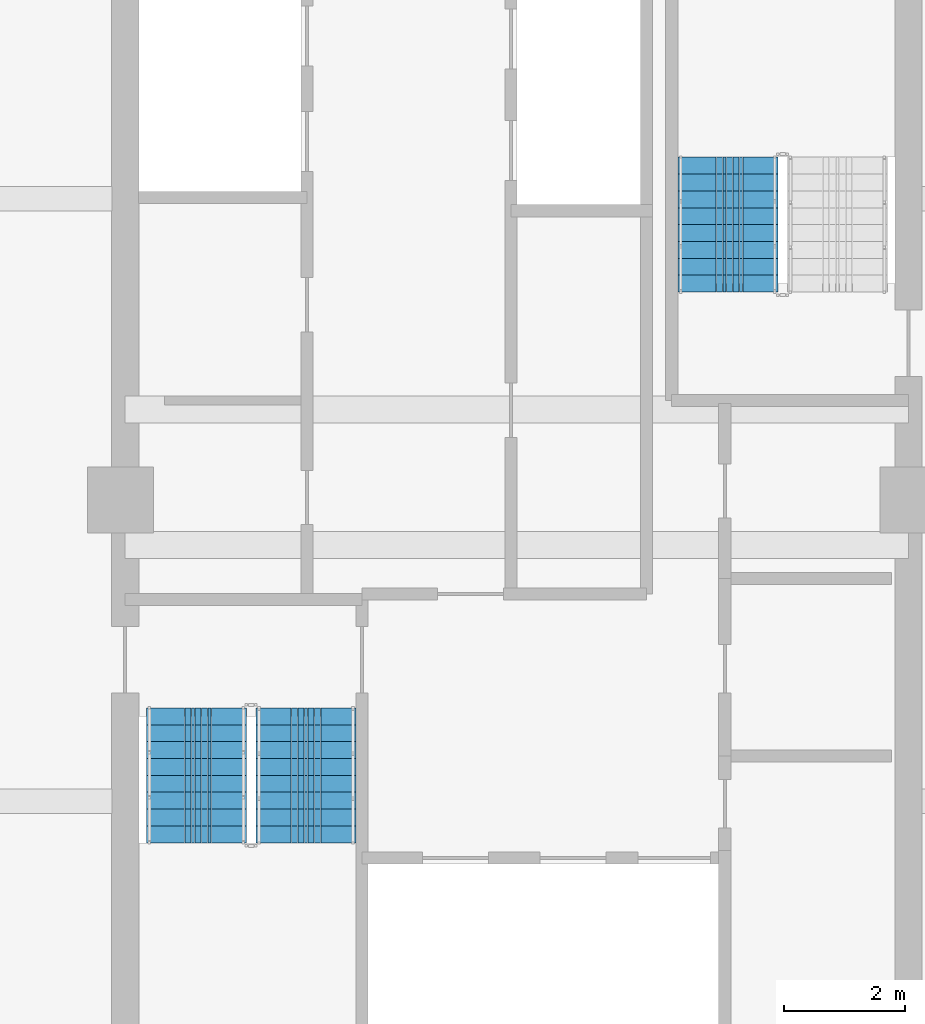
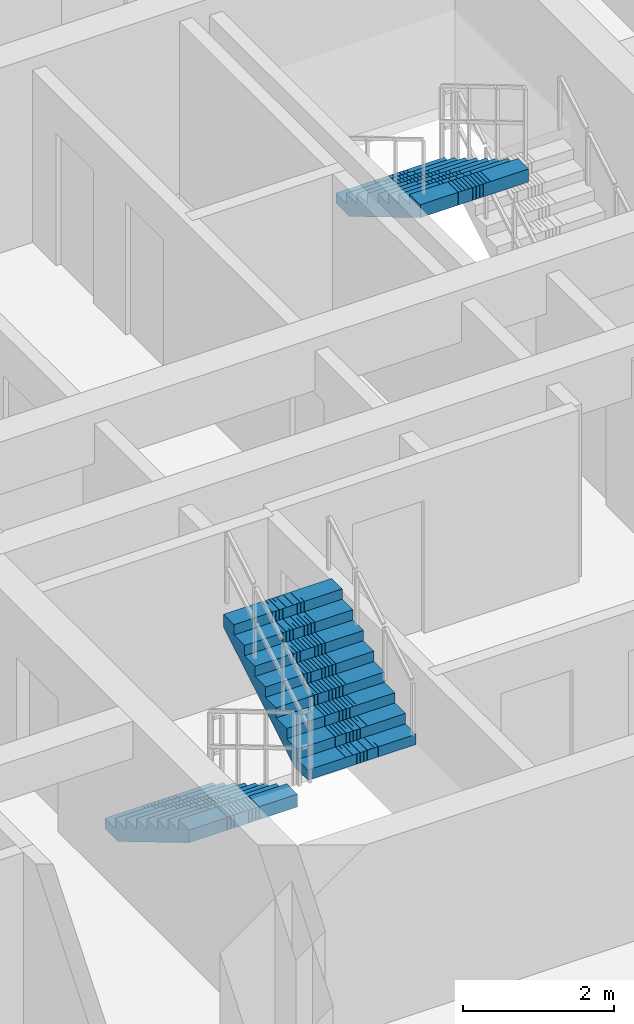
# One storey, part 16 of 22: 3 stair flights, 2 elements without a shape of their own.
"""IFC4 building model written with IfcOpenShell, lengths in metres."""

from ifc_helpers import new_model, si_unit, direction, frame, origin, place, context, subcontext, project, spatial, polyline, outline, extrude, material, type_object, element, aggregate, save


model = new_model("IFC4")

# Units and contexts
model_context = context("Model", 3, precision=1e-05, world=origin(), true_north=direction((0.0, 1.0)))
body_context = subcontext(model_context, "Body", "Model", "MODEL_VIEW")
ifc_project = project(units=[si_unit("LENGTHUNIT", "METRE"), si_unit("AREAUNIT", "SQUARE_METRE"), si_unit("VOLUMEUNIT", "CUBIC_METRE"), si_unit("PLANEANGLEUNIT", "RADIAN"), si_unit("MASSUNIT", "GRAM", prefix="KILO")], contexts=[model_context])

# Site, building, storey
site_placement = place(None, origin())
site = spatial("IfcSite", under=ifc_project, at=site_placement, CompositionType="ELEMENT")
building_placement = place(site_placement, origin())
building = spatial("IfcBuilding", under=site, at=building_placement, Name="Saelheon Loggia Tower", CompositionType="ELEMENT")
storey_placement = place(building_placement, frame((0.0, 0.0, 196.60009765625)))
storey = spatial("IfcBuildingStorey", under=building, at=storey_placement, Name="L61", CompositionType="ELEMENT", Elevation=196.60009765625)

# Stair, stair flights
ifc_material = material(Name="Concrete C40/50", Category="concrete")
stair_type = type_object("IfcStairType", Name="Stair_Escape_Core", PredefinedType="HALF_TURN_STAIR", material=ifc_material)
stair_1_placement = place(storey_placement, origin())
stair_1 = element("IfcStair", 1, at=stair_1_placement, inside=storey, type_object=stair_type, Name="L61 Special Escape Stair ST1", PredefinedType="HALF_TURN_STAIR")
stair_flight_type = type_object("IfcStairFlightType", Name="StairFlight_Tower_1660", PredefinedType="STRAIGHT", material=ifc_material)
stair_flight_1_placement = place(storey_placement, frame((32.679931640625, 23.550048828125, 0.0), z_axis=(0.0, 0.0, 1.0), x_axis=(0.0, -1.0, 0.0)))
stair_flight_1 = element("IfcStairFlight", 2, at=stair_flight_1_placement, type_object=stair_flight_type, Name="ST1 flight 1", NumberOfRisers=9, NumberOfTreads=8, PredefinedType="STRAIGHT", RiserHeight=0.166666667, TreadLength=0.28, context=body_context, shape_type="SweptSolid", body=[
    extrude(outline(polyline([(0.0, 0.0), (0.0, 0.166748046875), (0.280029296875, 0.166748046875), (0.280029296875, 0.333251953125), (0.56005859375, 0.333251953125), (0.56005859375, 0.5), (0.840087890625, 0.5), (0.840087890625, 0.666748046875), (1.1201171875, 0.666748046875), (1.1201171875, 0.833251953125), (1.39990234375, 0.833251953125), (1.39990234375, 1.0), (1.679931640625, 1.0), (1.679931640625, 1.166748046875), (1.9599609375, 1.166748046875), (1.9599609375, 1.333251953125), (2.239990234375, 1.333251953125), (2.239990234375, 1.5), (2.239990234375, 1.1240234375), (0.351806640625, 0.0), (0.0, 0.0)])), frame((0.0, -0.2490234375, 0.0), z_axis=(0.0, -1.0, 0.0), x_axis=(1.0, 0.0, 0.0)), (0.0, 0.0, 1.0), 0.5810546875),
    extrude(outline(polyline([(0.0, 0.0), (0.0, 0.166748046875), (0.280029296875, 0.166748046875), (0.280029296875, 0.333251953125), (0.56005859375, 0.333251953125), (0.56005859375, 0.5), (0.840087890625, 0.5), (0.840087890625, 0.666748046875), (1.1201171875, 0.666748046875), (1.1201171875, 0.833251953125), (1.39990234375, 0.833251953125), (1.39990234375, 1.0), (1.679931640625, 1.0), (1.679931640625, 1.166748046875), (1.9599609375, 1.166748046875), (1.9599609375, 1.333251953125), (2.239990234375, 1.333251953125), (2.239990234375, 1.5), (2.239990234375, 1.1240234375), (0.351806640625, 0.0), (0.0, 0.0)])), frame((0.0, -0.194091796875, 0.0), z_axis=(0.0, -1.0, 0.0), x_axis=(1.0, 0.0, 0.0)), (0.0, 0.0, 1.0), 0.0498046875),
    extrude(outline(polyline([(0.0, 0.0), (0.0, 0.166748046875), (0.280029296875, 0.166748046875), (0.280029296875, 0.333251953125), (0.56005859375, 0.333251953125), (0.56005859375, 0.5), (0.840087890625, 0.5), (0.840087890625, 0.666748046875), (1.1201171875, 0.666748046875), (1.1201171875, 0.833251953125), (1.39990234375, 0.833251953125), (1.39990234375, 1.0), (1.679931640625, 1.0), (1.679931640625, 1.166748046875), (1.9599609375, 1.166748046875), (1.9599609375, 1.333251953125), (2.239990234375, 1.333251953125), (2.239990234375, 1.5), (2.239990234375, 1.1240234375), (0.351806640625, 0.0), (0.0, 0.0)])), frame((0.0, -0.139404296875, 0.0), z_axis=(0.0, -1.0, 0.0), x_axis=(1.0, 0.0, 0.0)), (0.0, 0.0, 1.0), 0.0498046875),
    extrude(outline(polyline([(0.0, 0.0), (0.0, 0.166748046875), (0.280029296875, 0.166748046875), (0.280029296875, 0.333251953125), (0.56005859375, 0.333251953125), (0.56005859375, 0.5), (0.840087890625, 0.5), (0.840087890625, 0.666748046875), (1.1201171875, 0.666748046875), (1.1201171875, 0.833251953125), (1.39990234375, 0.833251953125), (1.39990234375, 1.0), (1.679931640625, 1.0), (1.679931640625, 1.166748046875), (1.9599609375, 1.166748046875), (1.9599609375, 1.333251953125), (2.239990234375, 1.333251953125), (2.239990234375, 1.5), (2.239990234375, 1.1240234375), (0.351806640625, 0.0), (0.0, 0.0)])), frame((0.0, -0.084716796875, 0.0), z_axis=(0.0, -1.0, 0.0), x_axis=(1.0, 0.0, 0.0)), (0.0, 0.0, 1.0), 0.0498046875),
    extrude(outline(polyline([(0.0, 0.0), (0.0, 0.166748046875), (0.280029296875, 0.166748046875), (0.280029296875, 0.333251953125), (0.56005859375, 0.333251953125), (0.56005859375, 0.5), (0.840087890625, 0.5), (0.840087890625, 0.666748046875), (1.1201171875, 0.666748046875), (1.1201171875, 0.833251953125), (1.39990234375, 0.833251953125), (1.39990234375, 1.0), (1.679931640625, 1.0), (1.679931640625, 1.166748046875), (1.9599609375, 1.166748046875), (1.9599609375, 1.333251953125), (2.239990234375, 1.333251953125), (2.239990234375, 1.5), (2.239990234375, 1.1240234375), (0.351806640625, 0.0), (0.0, 0.0)])), frame((0.0, -0.02978515625, 0.0), z_axis=(0.0, -1.0, 0.0), x_axis=(1.0, 0.0, 0.0)), (0.0, 0.0, 1.0), 0.0498046875),
    extrude(outline(polyline([(0.0, 0.0), (0.0, 0.166748046875), (0.280029296875, 0.166748046875), (0.280029296875, 0.333251953125), (0.56005859375, 0.333251953125), (0.56005859375, 0.5), (0.840087890625, 0.5), (0.840087890625, 0.666748046875), (1.1201171875, 0.666748046875), (1.1201171875, 0.833251953125), (1.39990234375, 0.833251953125), (1.39990234375, 1.0), (1.679931640625, 1.0), (1.679931640625, 1.166748046875), (1.9599609375, 1.166748046875), (1.9599609375, 1.333251953125), (2.239990234375, 1.333251953125), (2.239990234375, 1.5), (2.239990234375, 1.1240234375), (0.351806640625, 0.0), (0.0, 0.0)])), frame((0.0, 0.02490234375, 0.0), z_axis=(0.0, -1.0, 0.0), x_axis=(1.0, 0.0, 0.0)), (0.0, 0.0, 1.0), 0.0498046875),
    extrude(outline(polyline([(0.0, 0.0), (0.0, 0.166748046875), (0.280029296875, 0.166748046875), (0.280029296875, 0.333251953125), (0.56005859375, 0.333251953125), (0.56005859375, 0.5), (0.840087890625, 0.5), (0.840087890625, 0.666748046875), (1.1201171875, 0.666748046875), (1.1201171875, 0.833251953125), (1.39990234375, 0.833251953125), (1.39990234375, 1.0), (1.679931640625, 1.0), (1.679931640625, 1.166748046875), (1.9599609375, 1.166748046875), (1.9599609375, 1.333251953125), (2.239990234375, 1.333251953125), (2.239990234375, 1.5), (2.239990234375, 1.1240234375), (0.351806640625, 0.0), (0.0, 0.0)])), frame((0.0, 0.07958984375, 0.0), z_axis=(0.0, -1.0, 0.0), x_axis=(1.0, 0.0, 0.0)), (0.0, 0.0, 1.0), 0.0498046875),
    extrude(outline(polyline([(0.0, 0.0), (0.0, 0.166748046875), (0.280029296875, 0.166748046875), (0.280029296875, 0.333251953125), (0.56005859375, 0.333251953125), (0.56005859375, 0.5), (0.840087890625, 0.5), (0.840087890625, 0.666748046875), (1.1201171875, 0.666748046875), (1.1201171875, 0.833251953125), (1.39990234375, 0.833251953125), (1.39990234375, 1.0), (1.679931640625, 1.0), (1.679931640625, 1.166748046875), (1.9599609375, 1.166748046875), (1.9599609375, 1.333251953125), (2.239990234375, 1.333251953125), (2.239990234375, 1.5), (2.239990234375, 1.1240234375), (0.351806640625, 0.0), (0.0, 0.0)])), frame((0.0, 0.134521484375, 0.0), z_axis=(0.0, -1.0, 0.0), x_axis=(1.0, 0.0, 0.0)), (0.0, 0.0, 1.0), 0.0498046875),
    extrude(outline(polyline([(0.0, 0.0), (0.0, 0.166748046875), (0.280029296875, 0.166748046875), (0.280029296875, 0.333251953125), (0.56005859375, 0.333251953125), (0.56005859375, 0.5), (0.840087890625, 0.5), (0.840087890625, 0.666748046875), (1.1201171875, 0.666748046875), (1.1201171875, 0.833251953125), (1.39990234375, 0.833251953125), (1.39990234375, 1.0), (1.679931640625, 1.0), (1.679931640625, 1.166748046875), (1.9599609375, 1.166748046875), (1.9599609375, 1.333251953125), (2.239990234375, 1.333251953125), (2.239990234375, 1.5), (2.239990234375, 1.1240234375), (0.351806640625, 0.0), (0.0, 0.0)])), frame((0.0, 0.189208984375, 0.0), z_axis=(0.0, -1.0, 0.0), x_axis=(1.0, 0.0, 0.0)), (0.0, 0.0, 1.0), 0.0498046875),
    extrude(outline(polyline([(0.0, 0.0), (0.0, 0.166748046875), (0.280029296875, 0.166748046875), (0.280029296875, 0.333251953125), (0.56005859375, 0.333251953125), (0.56005859375, 0.5), (0.840087890625, 0.5), (0.840087890625, 0.666748046875), (1.1201171875, 0.666748046875), (1.1201171875, 0.833251953125), (1.39990234375, 0.833251953125), (1.39990234375, 1.0), (1.679931640625, 1.0), (1.679931640625, 1.166748046875), (1.9599609375, 1.166748046875), (1.9599609375, 1.333251953125), (2.239990234375, 1.333251953125), (2.239990234375, 1.5), (2.239990234375, 1.1240234375), (0.351806640625, 0.0), (0.0, 0.0)])), frame((0.0, 0.243896484375, 0.0), z_axis=(0.0, -1.0, 0.0), x_axis=(1.0, 0.0, 0.0)), (0.0, 0.0, 1.0), 0.0498046875),
    extrude(outline(polyline([(0.0, 0.0), (0.0, 0.166748046875), (0.280029296875, 0.166748046875), (0.280029296875, 0.333251953125), (0.56005859375, 0.333251953125), (0.56005859375, 0.5), (0.840087890625, 0.5), (0.840087890625, 0.666748046875), (1.1201171875, 0.666748046875), (1.1201171875, 0.833251953125), (1.39990234375, 0.833251953125), (1.39990234375, 1.0), (1.679931640625, 1.0), (1.679931640625, 1.166748046875), (1.9599609375, 1.166748046875), (1.9599609375, 1.333251953125), (2.239990234375, 1.333251953125), (2.239990234375, 1.5), (2.239990234375, 1.1240234375), (0.351806640625, 0.0), (0.0, 0.0)])), frame((0.0, 0.830078125, 0.0), z_axis=(0.0, -1.0, 0.0), x_axis=(1.0, 0.0, 0.0)), (0.0, 0.0, 1.0), 0.5810546875),
])
stair_flight_2_placement = place(storey_placement, frame((34.5, 21.31005859375, 1.5), z_axis=(0.0, 0.0, 1.0), x_axis=(0.0, 1.0, 0.0)))
stair_flight_2 = element("IfcStairFlight", 3, at=stair_flight_2_placement, type_object=stair_flight_type, Name="ST1 flight 2", NumberOfRisers=9, NumberOfTreads=8, PredefinedType="STRAIGHT", RiserHeight=0.166666667, TreadLength=0.28, context=body_context, shape_type="SweptSolid", body=[
    extrude(outline(polyline([(0.0, 0.0), (0.0, 0.166748046875), (0.280029296875, 0.166748046875), (0.280029296875, 0.333251953125), (0.56005859375, 0.333251953125), (0.56005859375, 0.5), (0.840087890625, 0.5), (0.840087890625, 0.666748046875), (1.1201171875, 0.666748046875), (1.1201171875, 0.833251953125), (1.39990234375, 0.833251953125), (1.39990234375, 1.0), (1.679931640625, 1.0), (1.679931640625, 1.166748046875), (1.9599609375, 1.166748046875), (1.9599609375, 1.333251953125), (2.239990234375, 1.333251953125), (2.239990234375, 1.5), (2.239990234375, 1.1240234375), (0.351806640625, 0.0), (0.0, 0.0)])), frame((0.0, -0.2490234375, 0.0), z_axis=(0.0, -1.0, 0.0), x_axis=(1.0, 0.0, 0.0)), (0.0, 0.0, 1.0), 0.5810546875),
    extrude(outline(polyline([(0.0, 0.0), (0.0, 0.166748046875), (0.280029296875, 0.166748046875), (0.280029296875, 0.333251953125), (0.56005859375, 0.333251953125), (0.56005859375, 0.5), (0.840087890625, 0.5), (0.840087890625, 0.666748046875), (1.1201171875, 0.666748046875), (1.1201171875, 0.833251953125), (1.39990234375, 0.833251953125), (1.39990234375, 1.0), (1.679931640625, 1.0), (1.679931640625, 1.166748046875), (1.9599609375, 1.166748046875), (1.9599609375, 1.333251953125), (2.239990234375, 1.333251953125), (2.239990234375, 1.5), (2.239990234375, 1.1240234375), (0.351806640625, 0.0), (0.0, 0.0)])), frame((0.0, -0.194091796875, 0.0), z_axis=(0.0, -1.0, 0.0), x_axis=(1.0, 0.0, 0.0)), (0.0, 0.0, 1.0), 0.0498046875),
    extrude(outline(polyline([(0.0, 0.0), (0.0, 0.166748046875), (0.280029296875, 0.166748046875), (0.280029296875, 0.333251953125), (0.56005859375, 0.333251953125), (0.56005859375, 0.5), (0.840087890625, 0.5), (0.840087890625, 0.666748046875), (1.1201171875, 0.666748046875), (1.1201171875, 0.833251953125), (1.39990234375, 0.833251953125), (1.39990234375, 1.0), (1.679931640625, 1.0), (1.679931640625, 1.166748046875), (1.9599609375, 1.166748046875), (1.9599609375, 1.333251953125), (2.239990234375, 1.333251953125), (2.239990234375, 1.5), (2.239990234375, 1.1240234375), (0.351806640625, 0.0), (0.0, 0.0)])), frame((0.0, -0.139404296875, 0.0), z_axis=(0.0, -1.0, 0.0), x_axis=(1.0, 0.0, 0.0)), (0.0, 0.0, 1.0), 0.0498046875),
    extrude(outline(polyline([(0.0, 0.0), (0.0, 0.166748046875), (0.280029296875, 0.166748046875), (0.280029296875, 0.333251953125), (0.56005859375, 0.333251953125), (0.56005859375, 0.5), (0.840087890625, 0.5), (0.840087890625, 0.666748046875), (1.1201171875, 0.666748046875), (1.1201171875, 0.833251953125), (1.39990234375, 0.833251953125), (1.39990234375, 1.0), (1.679931640625, 1.0), (1.679931640625, 1.166748046875), (1.9599609375, 1.166748046875), (1.9599609375, 1.333251953125), (2.239990234375, 1.333251953125), (2.239990234375, 1.5), (2.239990234375, 1.1240234375), (0.351806640625, 0.0), (0.0, 0.0)])), frame((0.0, -0.084716796875, 0.0), z_axis=(0.0, -1.0, 0.0), x_axis=(1.0, 0.0, 0.0)), (0.0, 0.0, 1.0), 0.0498046875),
    extrude(outline(polyline([(0.0, 0.0), (0.0, 0.166748046875), (0.280029296875, 0.166748046875), (0.280029296875, 0.333251953125), (0.56005859375, 0.333251953125), (0.56005859375, 0.5), (0.840087890625, 0.5), (0.840087890625, 0.666748046875), (1.1201171875, 0.666748046875), (1.1201171875, 0.833251953125), (1.39990234375, 0.833251953125), (1.39990234375, 1.0), (1.679931640625, 1.0), (1.679931640625, 1.166748046875), (1.9599609375, 1.166748046875), (1.9599609375, 1.333251953125), (2.239990234375, 1.333251953125), (2.239990234375, 1.5), (2.239990234375, 1.1240234375), (0.351806640625, 0.0), (0.0, 0.0)])), frame((0.0, -0.02978515625, 0.0), z_axis=(0.0, -1.0, 0.0), x_axis=(1.0, 0.0, 0.0)), (0.0, 0.0, 1.0), 0.0498046875),
    extrude(outline(polyline([(0.0, 0.0), (0.0, 0.166748046875), (0.280029296875, 0.166748046875), (0.280029296875, 0.333251953125), (0.56005859375, 0.333251953125), (0.56005859375, 0.5), (0.840087890625, 0.5), (0.840087890625, 0.666748046875), (1.1201171875, 0.666748046875), (1.1201171875, 0.833251953125), (1.39990234375, 0.833251953125), (1.39990234375, 1.0), (1.679931640625, 1.0), (1.679931640625, 1.166748046875), (1.9599609375, 1.166748046875), (1.9599609375, 1.333251953125), (2.239990234375, 1.333251953125), (2.239990234375, 1.5), (2.239990234375, 1.1240234375), (0.351806640625, 0.0), (0.0, 0.0)])), frame((0.0, 0.02490234375, 0.0), z_axis=(0.0, -1.0, 0.0), x_axis=(1.0, 0.0, 0.0)), (0.0, 0.0, 1.0), 0.0498046875),
    extrude(outline(polyline([(0.0, 0.0), (0.0, 0.166748046875), (0.280029296875, 0.166748046875), (0.280029296875, 0.333251953125), (0.56005859375, 0.333251953125), (0.56005859375, 0.5), (0.840087890625, 0.5), (0.840087890625, 0.666748046875), (1.1201171875, 0.666748046875), (1.1201171875, 0.833251953125), (1.39990234375, 0.833251953125), (1.39990234375, 1.0), (1.679931640625, 1.0), (1.679931640625, 1.166748046875), (1.9599609375, 1.166748046875), (1.9599609375, 1.333251953125), (2.239990234375, 1.333251953125), (2.239990234375, 1.5), (2.239990234375, 1.1240234375), (0.351806640625, 0.0), (0.0, 0.0)])), frame((0.0, 0.07958984375, 0.0), z_axis=(0.0, -1.0, 0.0), x_axis=(1.0, 0.0, 0.0)), (0.0, 0.0, 1.0), 0.0498046875),
    extrude(outline(polyline([(0.0, 0.0), (0.0, 0.166748046875), (0.280029296875, 0.166748046875), (0.280029296875, 0.333251953125), (0.56005859375, 0.333251953125), (0.56005859375, 0.5), (0.840087890625, 0.5), (0.840087890625, 0.666748046875), (1.1201171875, 0.666748046875), (1.1201171875, 0.833251953125), (1.39990234375, 0.833251953125), (1.39990234375, 1.0), (1.679931640625, 1.0), (1.679931640625, 1.166748046875), (1.9599609375, 1.166748046875), (1.9599609375, 1.333251953125), (2.239990234375, 1.333251953125), (2.239990234375, 1.5), (2.239990234375, 1.1240234375), (0.351806640625, 0.0), (0.0, 0.0)])), frame((0.0, 0.134521484375, 0.0), z_axis=(0.0, -1.0, 0.0), x_axis=(1.0, 0.0, 0.0)), (0.0, 0.0, 1.0), 0.0498046875),
    extrude(outline(polyline([(0.0, 0.0), (0.0, 0.166748046875), (0.280029296875, 0.166748046875), (0.280029296875, 0.333251953125), (0.56005859375, 0.333251953125), (0.56005859375, 0.5), (0.840087890625, 0.5), (0.840087890625, 0.666748046875), (1.1201171875, 0.666748046875), (1.1201171875, 0.833251953125), (1.39990234375, 0.833251953125), (1.39990234375, 1.0), (1.679931640625, 1.0), (1.679931640625, 1.166748046875), (1.9599609375, 1.166748046875), (1.9599609375, 1.333251953125), (2.239990234375, 1.333251953125), (2.239990234375, 1.5), (2.239990234375, 1.1240234375), (0.351806640625, 0.0), (0.0, 0.0)])), frame((0.0, 0.189208984375, 0.0), z_axis=(0.0, -1.0, 0.0), x_axis=(1.0, 0.0, 0.0)), (0.0, 0.0, 1.0), 0.0498046875),
    extrude(outline(polyline([(0.0, 0.0), (0.0, 0.166748046875), (0.280029296875, 0.166748046875), (0.280029296875, 0.333251953125), (0.56005859375, 0.333251953125), (0.56005859375, 0.5), (0.840087890625, 0.5), (0.840087890625, 0.666748046875), (1.1201171875, 0.666748046875), (1.1201171875, 0.833251953125), (1.39990234375, 0.833251953125), (1.39990234375, 1.0), (1.679931640625, 1.0), (1.679931640625, 1.166748046875), (1.9599609375, 1.166748046875), (1.9599609375, 1.333251953125), (2.239990234375, 1.333251953125), (2.239990234375, 1.5), (2.239990234375, 1.1240234375), (0.351806640625, 0.0), (0.0, 0.0)])), frame((0.0, 0.243896484375, 0.0), z_axis=(0.0, -1.0, 0.0), x_axis=(1.0, 0.0, 0.0)), (0.0, 0.0, 1.0), 0.0498046875),
    extrude(outline(polyline([(0.0, 0.0), (0.0, 0.166748046875), (0.280029296875, 0.166748046875), (0.280029296875, 0.333251953125), (0.56005859375, 0.333251953125), (0.56005859375, 0.5), (0.840087890625, 0.5), (0.840087890625, 0.666748046875), (1.1201171875, 0.666748046875), (1.1201171875, 0.833251953125), (1.39990234375, 0.833251953125), (1.39990234375, 1.0), (1.679931640625, 1.0), (1.679931640625, 1.166748046875), (1.9599609375, 1.166748046875), (1.9599609375, 1.333251953125), (2.239990234375, 1.333251953125), (2.239990234375, 1.5), (2.239990234375, 1.1240234375), (0.351806640625, 0.0), (0.0, 0.0)])), frame((0.0, 0.830078125, 0.0), z_axis=(0.0, -1.0, 0.0), x_axis=(1.0, 0.0, 0.0)), (0.0, 0.0, 1.0), 0.5810546875),
])
aggregate(stair_1, [stair_flight_1, stair_flight_2])

# Stair, stair flight
stair_2_placement = place(storey_placement, origin())
stair_2 = element("IfcStair", 4, at=stair_2_placement, inside=storey, type_object=stair_type, Name="L61 Special Escape Stair ST2", PredefinedType="HALF_TURN_STAIR")
stair_flight_3_placement = place(storey_placement, frame((41.5, 32.68994140625, 1.5), z_axis=(0.0, 0.0, 1.0), x_axis=(0.0, -1.0, 0.0)))
stair_flight_3 = element("IfcStairFlight", 5, at=stair_flight_3_placement, type_object=stair_flight_type, Name="ST2 flight 2", NumberOfRisers=9, NumberOfTreads=8, PredefinedType="STRAIGHT", RiserHeight=0.166666667, TreadLength=0.28, context=body_context, shape_type="SweptSolid", body=[
    extrude(outline(polyline([(0.0, 0.0), (0.0, 0.166748046875), (0.280029296875, 0.166748046875), (0.280029296875, 0.333251953125), (0.56005859375, 0.333251953125), (0.56005859375, 0.5), (0.840087890625, 0.5), (0.840087890625, 0.666748046875), (1.1201171875, 0.666748046875), (1.1201171875, 0.833251953125), (1.39990234375, 0.833251953125), (1.39990234375, 1.0), (1.679931640625, 1.0), (1.679931640625, 1.166748046875), (1.9599609375, 1.166748046875), (1.9599609375, 1.333251953125), (2.239990234375, 1.333251953125), (2.239990234375, 1.5), (2.239990234375, 1.1240234375), (0.351806640625, 0.0), (0.0, 0.0)])), frame((0.0, -0.2490234375, 0.0), z_axis=(0.0, -1.0, 0.0), x_axis=(1.0, 0.0, 0.0)), (0.0, 0.0, 1.0), 0.5810546875),
    extrude(outline(polyline([(0.0, 0.0), (0.0, 0.166748046875), (0.280029296875, 0.166748046875), (0.280029296875, 0.333251953125), (0.56005859375, 0.333251953125), (0.56005859375, 0.5), (0.840087890625, 0.5), (0.840087890625, 0.666748046875), (1.1201171875, 0.666748046875), (1.1201171875, 0.833251953125), (1.39990234375, 0.833251953125), (1.39990234375, 1.0), (1.679931640625, 1.0), (1.679931640625, 1.166748046875), (1.9599609375, 1.166748046875), (1.9599609375, 1.333251953125), (2.239990234375, 1.333251953125), (2.239990234375, 1.5), (2.239990234375, 1.1240234375), (0.351806640625, 0.0), (0.0, 0.0)])), frame((0.0, -0.194091796875, 0.0), z_axis=(0.0, -1.0, 0.0), x_axis=(1.0, 0.0, 0.0)), (0.0, 0.0, 1.0), 0.0498046875),
    extrude(outline(polyline([(0.0, 0.0), (0.0, 0.166748046875), (0.280029296875, 0.166748046875), (0.280029296875, 0.333251953125), (0.56005859375, 0.333251953125), (0.56005859375, 0.5), (0.840087890625, 0.5), (0.840087890625, 0.666748046875), (1.1201171875, 0.666748046875), (1.1201171875, 0.833251953125), (1.39990234375, 0.833251953125), (1.39990234375, 1.0), (1.679931640625, 1.0), (1.679931640625, 1.166748046875), (1.9599609375, 1.166748046875), (1.9599609375, 1.333251953125), (2.239990234375, 1.333251953125), (2.239990234375, 1.5), (2.239990234375, 1.1240234375), (0.351806640625, 0.0), (0.0, 0.0)])), frame((0.0, -0.139404296875, 0.0), z_axis=(0.0, -1.0, 0.0), x_axis=(1.0, 0.0, 0.0)), (0.0, 0.0, 1.0), 0.0498046875),
    extrude(outline(polyline([(0.0, 0.0), (0.0, 0.166748046875), (0.280029296875, 0.166748046875), (0.280029296875, 0.333251953125), (0.56005859375, 0.333251953125), (0.56005859375, 0.5), (0.840087890625, 0.5), (0.840087890625, 0.666748046875), (1.1201171875, 0.666748046875), (1.1201171875, 0.833251953125), (1.39990234375, 0.833251953125), (1.39990234375, 1.0), (1.679931640625, 1.0), (1.679931640625, 1.166748046875), (1.9599609375, 1.166748046875), (1.9599609375, 1.333251953125), (2.239990234375, 1.333251953125), (2.239990234375, 1.5), (2.239990234375, 1.1240234375), (0.351806640625, 0.0), (0.0, 0.0)])), frame((0.0, -0.084716796875, 0.0), z_axis=(0.0, -1.0, 0.0), x_axis=(1.0, 0.0, 0.0)), (0.0, 0.0, 1.0), 0.0498046875),
    extrude(outline(polyline([(0.0, 0.0), (0.0, 0.166748046875), (0.280029296875, 0.166748046875), (0.280029296875, 0.333251953125), (0.56005859375, 0.333251953125), (0.56005859375, 0.5), (0.840087890625, 0.5), (0.840087890625, 0.666748046875), (1.1201171875, 0.666748046875), (1.1201171875, 0.833251953125), (1.39990234375, 0.833251953125), (1.39990234375, 1.0), (1.679931640625, 1.0), (1.679931640625, 1.166748046875), (1.9599609375, 1.166748046875), (1.9599609375, 1.333251953125), (2.239990234375, 1.333251953125), (2.239990234375, 1.5), (2.239990234375, 1.1240234375), (0.351806640625, 0.0), (0.0, 0.0)])), frame((0.0, -0.02978515625, 0.0), z_axis=(0.0, -1.0, 0.0), x_axis=(1.0, 0.0, 0.0)), (0.0, 0.0, 1.0), 0.0498046875),
    extrude(outline(polyline([(0.0, 0.0), (0.0, 0.166748046875), (0.280029296875, 0.166748046875), (0.280029296875, 0.333251953125), (0.56005859375, 0.333251953125), (0.56005859375, 0.5), (0.840087890625, 0.5), (0.840087890625, 0.666748046875), (1.1201171875, 0.666748046875), (1.1201171875, 0.833251953125), (1.39990234375, 0.833251953125), (1.39990234375, 1.0), (1.679931640625, 1.0), (1.679931640625, 1.166748046875), (1.9599609375, 1.166748046875), (1.9599609375, 1.333251953125), (2.239990234375, 1.333251953125), (2.239990234375, 1.5), (2.239990234375, 1.1240234375), (0.351806640625, 0.0), (0.0, 0.0)])), frame((0.0, 0.02490234375, 0.0), z_axis=(0.0, -1.0, 0.0), x_axis=(1.0, 0.0, 0.0)), (0.0, 0.0, 1.0), 0.0498046875),
    extrude(outline(polyline([(0.0, 0.0), (0.0, 0.166748046875), (0.280029296875, 0.166748046875), (0.280029296875, 0.333251953125), (0.56005859375, 0.333251953125), (0.56005859375, 0.5), (0.840087890625, 0.5), (0.840087890625, 0.666748046875), (1.1201171875, 0.666748046875), (1.1201171875, 0.833251953125), (1.39990234375, 0.833251953125), (1.39990234375, 1.0), (1.679931640625, 1.0), (1.679931640625, 1.166748046875), (1.9599609375, 1.166748046875), (1.9599609375, 1.333251953125), (2.239990234375, 1.333251953125), (2.239990234375, 1.5), (2.239990234375, 1.1240234375), (0.351806640625, 0.0), (0.0, 0.0)])), frame((0.0, 0.07958984375, 0.0), z_axis=(0.0, -1.0, 0.0), x_axis=(1.0, 0.0, 0.0)), (0.0, 0.0, 1.0), 0.0498046875),
    extrude(outline(polyline([(0.0, 0.0), (0.0, 0.166748046875), (0.280029296875, 0.166748046875), (0.280029296875, 0.333251953125), (0.56005859375, 0.333251953125), (0.56005859375, 0.5), (0.840087890625, 0.5), (0.840087890625, 0.666748046875), (1.1201171875, 0.666748046875), (1.1201171875, 0.833251953125), (1.39990234375, 0.833251953125), (1.39990234375, 1.0), (1.679931640625, 1.0), (1.679931640625, 1.166748046875), (1.9599609375, 1.166748046875), (1.9599609375, 1.333251953125), (2.239990234375, 1.333251953125), (2.239990234375, 1.5), (2.239990234375, 1.1240234375), (0.351806640625, 0.0), (0.0, 0.0)])), frame((0.0, 0.134521484375, 0.0), z_axis=(0.0, -1.0, 0.0), x_axis=(1.0, 0.0, 0.0)), (0.0, 0.0, 1.0), 0.0498046875),
    extrude(outline(polyline([(0.0, 0.0), (0.0, 0.166748046875), (0.280029296875, 0.166748046875), (0.280029296875, 0.333251953125), (0.56005859375, 0.333251953125), (0.56005859375, 0.5), (0.840087890625, 0.5), (0.840087890625, 0.666748046875), (1.1201171875, 0.666748046875), (1.1201171875, 0.833251953125), (1.39990234375, 0.833251953125), (1.39990234375, 1.0), (1.679931640625, 1.0), (1.679931640625, 1.166748046875), (1.9599609375, 1.166748046875), (1.9599609375, 1.333251953125), (2.239990234375, 1.333251953125), (2.239990234375, 1.5), (2.239990234375, 1.1240234375), (0.351806640625, 0.0), (0.0, 0.0)])), frame((0.0, 0.189208984375, 0.0), z_axis=(0.0, -1.0, 0.0), x_axis=(1.0, 0.0, 0.0)), (0.0, 0.0, 1.0), 0.0498046875),
    extrude(outline(polyline([(0.0, 0.0), (0.0, 0.166748046875), (0.280029296875, 0.166748046875), (0.280029296875, 0.333251953125), (0.56005859375, 0.333251953125), (0.56005859375, 0.5), (0.840087890625, 0.5), (0.840087890625, 0.666748046875), (1.1201171875, 0.666748046875), (1.1201171875, 0.833251953125), (1.39990234375, 0.833251953125), (1.39990234375, 1.0), (1.679931640625, 1.0), (1.679931640625, 1.166748046875), (1.9599609375, 1.166748046875), (1.9599609375, 1.333251953125), (2.239990234375, 1.333251953125), (2.239990234375, 1.5), (2.239990234375, 1.1240234375), (0.351806640625, 0.0), (0.0, 0.0)])), frame((0.0, 0.243896484375, 0.0), z_axis=(0.0, -1.0, 0.0), x_axis=(1.0, 0.0, 0.0)), (0.0, 0.0, 1.0), 0.0498046875),
    extrude(outline(polyline([(0.0, 0.0), (0.0, 0.166748046875), (0.280029296875, 0.166748046875), (0.280029296875, 0.333251953125), (0.56005859375, 0.333251953125), (0.56005859375, 0.5), (0.840087890625, 0.5), (0.840087890625, 0.666748046875), (1.1201171875, 0.666748046875), (1.1201171875, 0.833251953125), (1.39990234375, 0.833251953125), (1.39990234375, 1.0), (1.679931640625, 1.0), (1.679931640625, 1.166748046875), (1.9599609375, 1.166748046875), (1.9599609375, 1.333251953125), (2.239990234375, 1.333251953125), (2.239990234375, 1.5), (2.239990234375, 1.1240234375), (0.351806640625, 0.0), (0.0, 0.0)])), frame((0.0, 0.830078125, 0.0), z_axis=(0.0, -1.0, 0.0), x_axis=(1.0, 0.0, 0.0)), (0.0, 0.0, 1.0), 0.5810546875),
])
aggregate(stair_2, [stair_flight_3])

save(model, "model.ifc")
